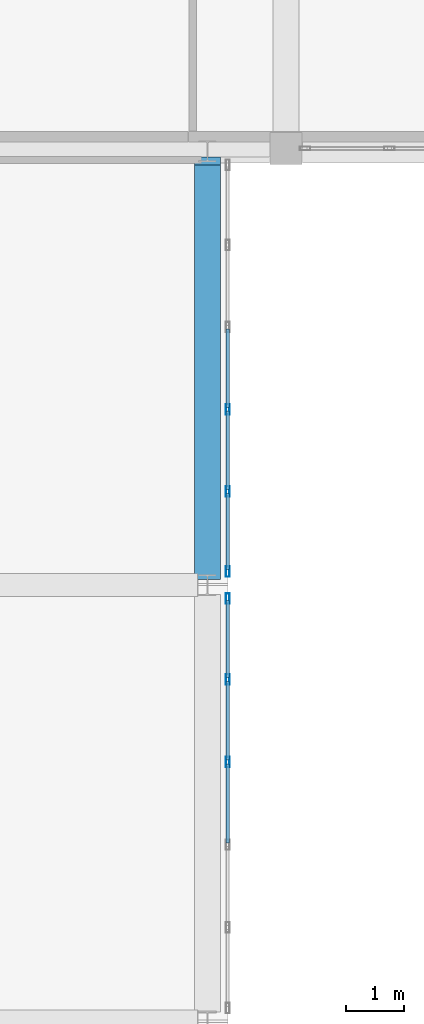
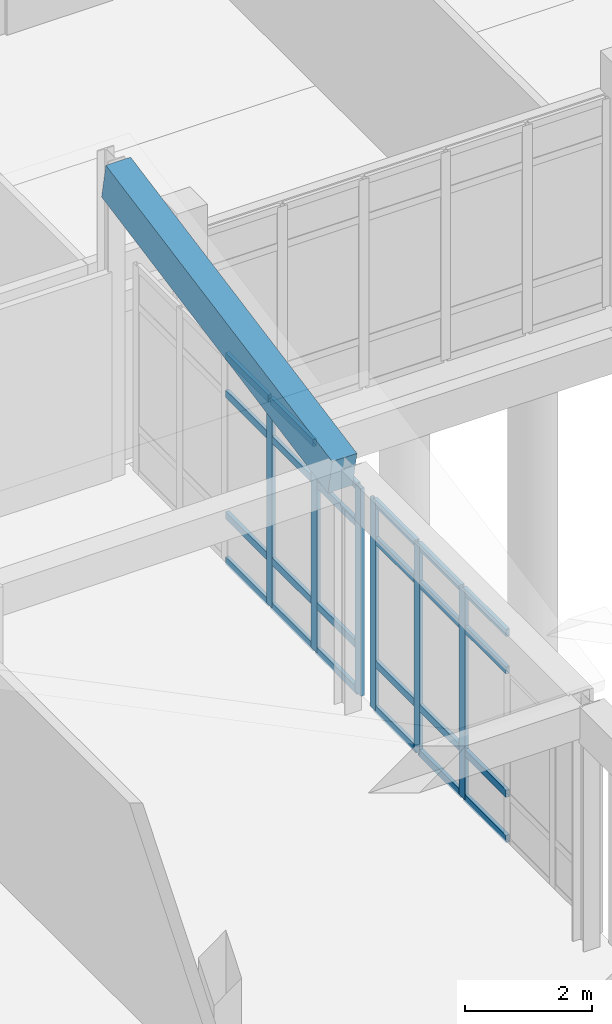
# One storey, part 108 of 173: 30 members, 1 beam, 2 elements without a shape of their own.
"""IFC4 building model written with IfcOpenShell, lengths in metres."""

import ifcopenshell
import ifcopenshell.guid

model = None  # the IFC model being written
_history = None  # IfcOwnerHistory: only IFC2X3 demands one
_inside = {}  # id of a spatial element -> (the spatial element, [elements in it])
_under = {}  # id of a project, library or spatial element -> (it, [spatial elements below it])
_declared = {}  # id of a project -> (the project, [libraries it declares])
_typed = {}  # id of a type object -> (the type object, [elements of that type])
_made_of = {}  # id of a material, layer set ... -> (it, [elements and type objects made of it])


def new_model(schema):
    """Start an empty IFC model of exactly this schema.

    Asked for "IFC4X3", IfcOpenShell would pick the latest addendum, in which some entities
    have other attributes; the version numbers below select the first issue.
    IFC2X3 requires an IfcOwnerHistory on every rooted entity: one is made here for all.
    """
    global model, _history
    if schema == "IFC4X3":
        model = ifcopenshell.file(schema_version=(4, 3, 0, 0))
    else:
        model = ifcopenshell.file(schema=schema)
    _inside.clear()
    _under.clear()
    _declared.clear()
    _typed.clear()
    _made_of.clear()
    _history = None
    if model.schema == "IFC2X3":
        org = make("IfcOrganization", Name="unknown")
        user = make(
            "IfcPersonAndOrganization",
            ThePerson=make("IfcPerson", FamilyName="unknown"),
            TheOrganization=org,
        )
        app = make(
            "IfcApplication",
            ApplicationDeveloper=org,
            Version="unknown",
            ApplicationFullName="unknown",
            ApplicationIdentifier="unknown",
        )
        _history = make(
            "IfcOwnerHistory",
            OwningUser=user,
            OwningApplication=app,
            ChangeAction="ADDED",
            CreationDate=0,
        )
    return model


def make(cls, **values):
    """One entity of the class cls with the attributes given. An attribute that is None is left unset."""
    return model.create_entity(
        cls, **{name: value for name, value in values.items() if value is not None}
    )


def rooted(cls, **values):
    """An entity with a GlobalId (a new one), such as an element, a storey or a relation."""
    return make(cls, GlobalId=ifcopenshell.guid.new(), OwnerHistory=_history, **values)


def si_unit(unit_type, name, prefix=None):
    """IfcSIUnit, for example si_unit("LENGTHUNIT", "METRE", prefix="MILLI")."""
    return make("IfcSIUnit", UnitType=unit_type, Prefix=prefix, Name=name)


def assignment(units):
    """IfcUnitAssignment: the units of a project."""
    return None if units is None else make("IfcUnitAssignment", Units=units)


def point(xyz):
    """IfcCartesianPoint."""
    return None if xyz is None else make("IfcCartesianPoint", Coordinates=xyz)


def direction(xyz):
    """IfcDirection."""
    return None if xyz is None else make("IfcDirection", DirectionRatios=xyz)


def frame(location, z_axis=None, x_axis=None):
    """IfcAxis2Placement3D, a coordinate frame: its origin and axes. An axis left out is left unset."""
    return make(
        "IfcAxis2Placement3D",
        Location=point(location),
        Axis=direction(z_axis),
        RefDirection=direction(x_axis),
    )


def frame_2d(location, x_axis=None):
    """IfcAxis2Placement2D, a coordinate frame in the plane: its origin and x axis."""
    return make(
        "IfcAxis2Placement2D", Location=point(location), RefDirection=direction(x_axis)
    )


def origin():
    """The frame at (0, 0, 0) with its axes left unset."""
    return frame((0.0, 0.0, 0.0))


def origin_2d():
    """The frame at (0, 0) in the plane with its x axis left unset."""
    return frame_2d((0.0, 0.0))


def place(relative_to, where):
    """IfcLocalPlacement: puts the frame where relative to a parent placement (None: the world)."""
    return make(
        "IfcLocalPlacement", PlacementRelTo=relative_to, RelativePlacement=where
    )


def context(
    kind, dimensions, precision=None, world=None, true_north=None, identifier=None
):
    """IfcGeometricRepresentationContext, for example the 3D "Model" context."""
    return make(
        "IfcGeometricRepresentationContext",
        ContextIdentifier=identifier,
        ContextType=kind,
        CoordinateSpaceDimension=dimensions,
        Precision=precision,
        WorldCoordinateSystem=world,
        TrueNorth=true_north,
    )


def subcontext(parent, identifier, kind, view, scale=None):
    """IfcGeometricRepresentationSubContext, for example "Body" below "Model"."""
    return make(
        "IfcGeometricRepresentationSubContext",
        ContextIdentifier=identifier,
        ContextType=kind,
        ParentContext=parent,
        TargetScale=scale,
        TargetView=view,
    )


def project(units=None, contexts=None):
    """IfcProject with its units and contexts."""
    return rooted(
        "IfcProject",
        Name="project",
        RepresentationContexts=contexts,
        UnitsInContext=assignment(units),
    )


def spatial(cls, under=None, at=None, **own):
    """A site, building, storey or space (cls), placed at a placement, below another one or the project."""
    s = rooted(cls, ObjectPlacement=at, **own)
    if under is not None:
        _under.setdefault(under.id(), (under, []))[1].append(s)
    return s


def profile(cls, at=None, kind="AREA", **sizes):
    """A parametric profile (cls). Its sizes go by their IFC names, for example OverallWidth=200.0."""
    return make(cls, ProfileType=kind, Position=at, **sizes)


def rectangle(**sizes):
    """IfcRectangleProfileDef."""
    return profile("IfcRectangleProfileDef", **sizes)


def hollow_rectangle(**sizes):
    """IfcRectangleHollowProfileDef."""
    return profile("IfcRectangleHollowProfileDef", **sizes)


def extrude(swept, where, along, depth):
    """IfcExtrudedAreaSolid: the profile swept, set in the frame where, extruded along a direction by depth."""
    return make(
        "IfcExtrudedAreaSolid",
        SweptArea=swept,
        Position=where,
        ExtrudedDirection=direction(along),
        Depth=depth,
    )


def shape(context_of_items, identifier, shape_type, items):
    """IfcShapeRepresentation: the items that make up one representation, for example the "Body"."""
    return make(
        "IfcShapeRepresentation",
        ContextOfItems=context_of_items,
        RepresentationIdentifier=identifier,
        RepresentationType=shape_type,
        Items=items,
    )


def material(Name=None, Category=None):
    """IfcMaterial."""
    return make("IfcMaterial", Name=Name, Category=Category)


def layer(
    of_material, thickness, ventilated=None, Name=None, Category=None, Priority=None
):
    """IfcMaterialLayer: one layer of a wall or slab, of a material (None: an air gap)."""
    return make(
        "IfcMaterialLayer",
        Material=of_material,
        LayerThickness=thickness,
        IsVentilated=ventilated,
        Name=Name,
        Category=Category,
        Priority=Priority,
    )


def layer_set(layers, Name=None):
    """IfcMaterialLayerSet."""
    return make("IfcMaterialLayerSet", MaterialLayers=layers, LayerSetName=Name)


def material_profile(
    of_material, cross_section, Name=None, Category=None, Priority=None
):
    """IfcMaterialProfile: a cross section and its material."""
    return make(
        "IfcMaterialProfile",
        Name=Name,
        Material=of_material,
        Profile=cross_section,
        Priority=Priority,
        Category=Category,
    )


def profile_set(profiles, Name=None, composite=None):
    """IfcMaterialProfileSet."""
    return make(
        "IfcMaterialProfileSet",
        Name=Name,
        MaterialProfiles=profiles,
        CompositeProfile=composite,
    )


def made_of(thing, what):
    """Note that an element or type object is made of a material, layer set ...; save() writes the relation."""
    if what is not None:
        _made_of.setdefault(what.id(), (what, []))[1].append(thing)
    return thing


def type_object(cls, material=None, **own):
    """A type object (cls), such as IfcWallType, which elements share."""
    return made_of(rooted(cls, **own), material)


def element(
    cls,
    number,
    at=None,
    inside=None,
    cuts=None,
    type_object=None,
    material=None,
    context=None,
    identifier="Body",
    shape_type=None,
    held_by="IfcProductDefinitionShape",
    body=None,
    shapes=None,
    **own,
):
    """One element of the class cls, such as IfcWall. Its Tag is "e" and its number.

    at: its placement. inside: the storey or other place that contains it. cuts: it is an
    opening in that element (IfcRelVoidsElement). A single representation is given by context,
    identifier, shape_type and body (its items); several are given by shapes. held_by: the class
    of the entity that holds the representations. save() writes the other relations.
    """
    e = rooted(cls, Tag="e%d" % number, ObjectPlacement=at, **own)
    if body is not None:
        shapes = [shape(context, identifier, shape_type, body)]
    if shapes is not None:
        e.Representation = make(held_by, Representations=shapes)
    if inside is not None:
        _inside.setdefault(inside.id(), (inside, []))[1].append(e)
    if cuts is not None:
        rooted(
            "IfcRelVoidsElement", RelatingBuildingElement=cuts, RelatedOpeningElement=e
        )
    if type_object is not None:
        _typed.setdefault(type_object.id(), (type_object, []))[1].append(e)
    return made_of(e, material)


def aggregate(whole, parts):
    """IfcRelAggregates: a whole, such as a stair, and the parts it consists of."""
    return rooted("IfcRelAggregates", RelatingObject=whole, RelatedObjects=parts)


def save(model, path):
    """Write the relations noted so far, then the file.

    IfcRelAggregates (storeys below a building ...), IfcRelContainedInSpatialStructure (elements
    in a storey), IfcRelDefinesByType, IfcRelAssociatesMaterial and IfcRelDeclares: one each for
    every whole, place, type object, material and project.
    """
    for whole, parts in _under.values():
        aggregate(whole, parts)
    for where, things in _inside.values():
        rooted(
            "IfcRelContainedInSpatialStructure",
            RelatedElements=things,
            RelatingStructure=where,
        )
    for kind, things in _typed.values():
        rooted("IfcRelDefinesByType", RelatedObjects=things, RelatingType=kind)
    for what, things in _made_of.values():
        rooted("IfcRelAssociatesMaterial", RelatedObjects=things, RelatingMaterial=what)
    for by, libraries in _declared.values():
        rooted("IfcRelDeclares", RelatingContext=by, RelatedDefinitions=libraries)
    model.write(path)


model = new_model("IFC4")

# Units and contexts
model_context = context("Model", 3, precision=1e-05, world=origin(), true_north=direction((0.0, 1.0)))
body_context = subcontext(model_context, "Body", "Model", "MODEL_VIEW")
ifc_project = project(units=[si_unit("LENGTHUNIT", "METRE"), si_unit("AREAUNIT", "SQUARE_METRE"), si_unit("VOLUMEUNIT", "CUBIC_METRE"), si_unit("PLANEANGLEUNIT", "RADIAN"), si_unit("MASSUNIT", "GRAM", prefix="KILO")], contexts=[model_context])

# Site, building, storey
site_placement = place(None, origin())
site = spatial("IfcSite", under=ifc_project, at=site_placement, CompositionType="ELEMENT")
building_placement = place(site_placement, origin())
building = spatial("IfcBuilding", under=site, at=building_placement, Name="Mawjan Specialist Oncology Clinic", CompositionType="ELEMENT")
storey_placement = place(building_placement, origin())
storey = spatial("IfcBuildingStorey", under=building, at=storey_placement, Name="L00", CompositionType="ELEMENT", Elevation=0.0)

# Beam
ifc_material_1 = material(Name="Concrete C40/50", Category="concrete")
ifc_material_profile_1 = material_profile(ifc_material_1, rectangle(XDim=0.449951171875, YDim=0.699951171875, at=origin_2d()), Name="RC BM 450x700", Category="concrete")
ifc_profile_set_1 = profile_set([ifc_material_profile_1], Name="Concrete C40/50")
beam_type = type_object("IfcBeamType", Name="BM-450x700", PredefinedType="BEAM", material=ifc_profile_set_1)
beam_placement = place(storey_placement, frame((138.64990234375, 68.465087890625, 4.3828125), z_axis=(0.0, 0.982020614952, 0.188773705292), x_axis=(-1.0, 0.0, 0.0)))
element("IfcBeam", 1, at=beam_placement, inside=storey, type_object=beam_type, Name="L00 Roof Framing Beam BM-RF-L00-1278", PredefinedType="BEAM", context=body_context, shape_type="SweptSolid", body=[
    extrude(rectangle(XDim=0.449951171875, YDim=0.699951171875, at=origin_2d()), origin(), (0.0, 0.0, 1.0), 7.250244140625),
])

# Curtain wall, members
ifc_material_2 = material(Name="Unitised spectrally selective aluminium curtain wall", Category="aluminium")
ifc_layer_1 = layer(ifc_material_2, 0.179931640625, Name="Unitised spectrally selective aluminium curtain wall", Category="aluminium")
ifc_layer_set_1 = layer_set([ifc_layer_1], Name="Unitised spectrally selective aluminium curtain wall")
curtain_wall_type_1 = type_object("IfcCurtainWallType", Name="CW-18", PredefinedType="NOTDEFINED", material=ifc_layer_set_1)
curtain_wall_1_placement = place(storey_placement, origin())
curtain_wall_1 = element("IfcCurtainWall", 2, at=curtain_wall_1_placement, inside=storey, type_object=curtain_wall_type_1, Name="L00 Unitised Curtain Wall CW-L00-032", PredefinedType="NOTDEFINED")
ifc_material_3 = material(Name="Thermally broken aluminium 6063-T6", Category="aluminium")
ifc_material_profile_2 = material_profile(ifc_material_3, hollow_rectangle(XDim=0.06494140625, YDim=0.179931640625, WallThickness=0.00390625, at=origin_2d()), Name="ALU MULLION 180x65x4", Category="aluminium")
ifc_profile_set_2 = profile_set([ifc_material_profile_2], Name="Thermally broken aluminium 6063-T6")
member_type_1 = type_object("IfcMemberType", Name="CW-M180", PredefinedType="MULLION", material=ifc_profile_set_2)
member_1_placement = place(storey_placement, frame((139.0, 71.320068359375, 0.0), z_axis=(0.0, 0.0, 1.0), x_axis=(1.0, 0.0, 0.0)))
member_1 = element("IfcMember", 3, at=member_1_placement, type_object=member_type_1, Name="CW-18 mullion 4", PredefinedType="MULLION", context=body_context, shape_type="SweptSolid", body=[
    extrude(hollow_rectangle(XDim=0.06494140625, YDim=0.179931640625, WallThickness=0.00390625, at=origin_2d()), origin(), (0.0, 0.0, 1.0), 3.985107421875),
])
member_2_placement = place(storey_placement, frame((139.0, 69.909912109375, 0.0), z_axis=(0.0, 0.0, 1.0), x_axis=(1.0, 0.0, 0.0)))
member_2 = element("IfcMember", 4, at=member_2_placement, type_object=member_type_1, Name="CW-18 mullion 5", PredefinedType="MULLION", context=body_context, shape_type="SweptSolid", body=[
    extrude(hollow_rectangle(XDim=0.06494140625, YDim=0.179931640625, WallThickness=0.00390625, at=origin_2d()), origin(), (0.0, 0.0, 1.0), 3.985107421875),
])
member_3_placement = place(storey_placement, frame((139.0, 68.532470703125, 0.0), z_axis=(0.0, 0.0, 1.0), x_axis=(1.0, 0.0, 0.0)))
member_3 = element("IfcMember", 5, at=member_3_placement, type_object=member_type_1, Name="CW-18 mullion 6", PredefinedType="MULLION", context=body_context, shape_type="SweptSolid", body=[
    extrude(hollow_rectangle(XDim=0.06494140625, YDim=0.179931640625, WallThickness=0.00390625, at=origin_2d()), origin(), (0.0, 0.0, 1.0), 3.985107421875),
])

ifc_material_4 = material(Name="Unitised spectrally selective aluminium curtain wall", Category="aluminium")
ifc_layer_2 = layer(ifc_material_4, 0.179931640625, Name="Unitised spectrally selective aluminium curtain wall", Category="aluminium")
ifc_layer_set_2 = layer_set([ifc_layer_2], Name="Unitised spectrally selective aluminium curtain wall")
curtain_wall_type_2 = type_object("IfcCurtainWallType", Name="CW-19", PredefinedType="NOTDEFINED", material=ifc_layer_set_2)
curtain_wall_2_placement = place(storey_placement, origin())
curtain_wall_2 = element("IfcCurtainWall", 6, at=curtain_wall_2_placement, inside=storey, type_object=curtain_wall_type_2, Name="L00 Unitised Curtain Wall CW-L00-033", PredefinedType="NOTDEFINED")
member_4_placement = place(storey_placement, frame((139.0, 68.0673828125, 0.0), z_axis=(0.0, 0.0, 1.0), x_axis=(1.0, 0.0, 0.0)))
member_4 = element("IfcMember", 7, at=member_4_placement, type_object=member_type_1, Name="CW-19 mullion 1", PredefinedType="MULLION", context=body_context, shape_type="SweptSolid", body=[
    extrude(hollow_rectangle(XDim=0.06494140625, YDim=0.179931640625, WallThickness=0.00390625, at=origin_2d()), origin(), (0.0, 0.0, 1.0), 4.017822265625),
])
member_5_placement = place(storey_placement, frame((139.0, 66.679931640625, 0.0), z_axis=(0.0, 0.0, 1.0), x_axis=(1.0, 0.0, 0.0)))
member_5 = element("IfcMember", 8, at=member_5_placement, type_object=member_type_1, Name="CW-19 mullion 2", PredefinedType="MULLION", context=body_context, shape_type="SweptSolid", body=[
    extrude(hollow_rectangle(XDim=0.06494140625, YDim=0.179931640625, WallThickness=0.00390625, at=origin_2d()), origin(), (0.0, 0.0, 1.0), 4.017822265625),
])
member_6_placement = place(storey_placement, frame((139.0, 65.260009765625, 0.0), z_axis=(0.0, 0.0, 1.0), x_axis=(1.0, 0.0, 0.0)))
member_6 = element("IfcMember", 9, at=member_6_placement, type_object=member_type_1, Name="CW-19 mullion 3", PredefinedType="MULLION", context=body_context, shape_type="SweptSolid", body=[
    extrude(hollow_rectangle(XDim=0.06494140625, YDim=0.179931640625, WallThickness=0.00390625, at=origin_2d()), origin(), (0.0, 0.0, 1.0), 4.017822265625),
])

# Member
ifc_material_5 = material(Name="Thermally broken aluminium 6063-T6", Category="aluminium")
ifc_material_profile_3 = material_profile(ifc_material_5, hollow_rectangle(XDim=0.06494140625, YDim=0.139892578125, WallThickness=0.00390625, at=origin_2d()), Name="ALU TRANSOM 140x65x4", Category="aluminium")
ifc_profile_set_3 = profile_set([ifc_material_profile_3], Name="Thermally broken aluminium 6063-T6")
member_type_2 = type_object("IfcMemberType", Name="CW-T140", PredefinedType="USERDEFINED", material=ifc_profile_set_3)
member_7_placement = place(storey_placement, frame((139.0, 72.697509765625, 0.032470703125), z_axis=(0.0, -1.0, 0.0), x_axis=(1.0, 0.0, 0.0)))
member_7 = element("IfcMember", 10, at=member_7_placement, type_object=member_type_2, Name="CW-18 transom 3.1", ObjectType="TRANSOM", PredefinedType="USERDEFINED", context=body_context, shape_type="SweptSolid", body=[
    extrude(hollow_rectangle(XDim=0.06494140625, YDim=0.139892578125, WallThickness=0.00390625, at=origin_2d()), origin(), (0.0, 0.0, 1.0), 1.344970703125),
])

member_8_placement = place(storey_placement, frame((139.0, 72.697509765625, 0.89990234375), z_axis=(0.0, -1.0, 0.0), x_axis=(1.0, 0.0, 0.0)))
member_8 = element("IfcMember", 11, at=member_8_placement, type_object=member_type_2, Name="CW-18 transom 3.2", ObjectType="TRANSOM", PredefinedType="USERDEFINED", context=body_context, shape_type="SweptSolid", body=[
    extrude(hollow_rectangle(XDim=0.06494140625, YDim=0.139892578125, WallThickness=0.00390625, at=origin_2d()), origin(), (0.0, 0.0, 1.0), 1.344970703125),
])

member_9_placement = place(storey_placement, frame((139.0, 72.697509765625, 3.235107421875), z_axis=(0.0, -1.0, 0.0), x_axis=(1.0, 0.0, 0.0)))
member_9 = element("IfcMember", 12, at=member_9_placement, type_object=member_type_2, Name="CW-18 transom 3.3", ObjectType="TRANSOM", PredefinedType="USERDEFINED", context=body_context, shape_type="SweptSolid", body=[
    extrude(hollow_rectangle(XDim=0.06494140625, YDim=0.139892578125, WallThickness=0.00390625, at=origin_2d()), origin(), (0.0, 0.0, 1.0), 1.344970703125),
])

member_10_placement = place(storey_placement, frame((139.0, 72.697509765625, 3.952392578125), z_axis=(0.0, -1.0, 0.0), x_axis=(1.0, 0.0, 0.0)))
member_10 = element("IfcMember", 13, at=member_10_placement, type_object=member_type_2, Name="CW-18 transom 3.4", ObjectType="TRANSOM", PredefinedType="USERDEFINED", context=body_context, shape_type="SweptSolid", body=[
    extrude(hollow_rectangle(XDim=0.06494140625, YDim=0.139892578125, WallThickness=0.00390625, at=origin_2d()), origin(), (0.0, 0.0, 1.0), 1.344970703125),
])

member_11_placement = place(storey_placement, frame((139.0, 71.28759765625, 0.032470703125), z_axis=(0.0, -1.0, 0.0), x_axis=(1.0, 0.0, 0.0)))
member_11 = element("IfcMember", 14, at=member_11_placement, type_object=member_type_2, Name="CW-18 transom 4.1", ObjectType="TRANSOM", PredefinedType="USERDEFINED", context=body_context, shape_type="SweptSolid", body=[
    extrude(hollow_rectangle(XDim=0.06494140625, YDim=0.139892578125, WallThickness=0.00390625, at=origin_2d()), origin(), (0.0, 0.0, 1.0), 1.34521484375),
])

member_12_placement = place(storey_placement, frame((139.0, 71.28759765625, 0.89990234375), z_axis=(0.0, -1.0, 0.0), x_axis=(1.0, 0.0, 0.0)))
member_12 = element("IfcMember", 15, at=member_12_placement, type_object=member_type_2, Name="CW-18 transom 4.2", ObjectType="TRANSOM", PredefinedType="USERDEFINED", context=body_context, shape_type="SweptSolid", body=[
    extrude(hollow_rectangle(XDim=0.06494140625, YDim=0.139892578125, WallThickness=0.00390625, at=origin_2d()), origin(), (0.0, 0.0, 1.0), 1.34521484375),
])

member_13_placement = place(storey_placement, frame((139.0, 71.28759765625, 3.235107421875), z_axis=(0.0, -1.0, 0.0), x_axis=(1.0, 0.0, 0.0)))
member_13 = element("IfcMember", 16, at=member_13_placement, type_object=member_type_2, Name="CW-18 transom 4.3", ObjectType="TRANSOM", PredefinedType="USERDEFINED", context=body_context, shape_type="SweptSolid", body=[
    extrude(hollow_rectangle(XDim=0.06494140625, YDim=0.139892578125, WallThickness=0.00390625, at=origin_2d()), origin(), (0.0, 0.0, 1.0), 1.34521484375),
])

member_14_placement = place(storey_placement, frame((139.0, 71.28759765625, 3.952392578125), z_axis=(0.0, -1.0, 0.0), x_axis=(1.0, 0.0, 0.0)))
member_14 = element("IfcMember", 17, at=member_14_placement, type_object=member_type_2, Name="CW-18 transom 4.4", ObjectType="TRANSOM", PredefinedType="USERDEFINED", context=body_context, shape_type="SweptSolid", body=[
    extrude(hollow_rectangle(XDim=0.06494140625, YDim=0.139892578125, WallThickness=0.00390625, at=origin_2d()), origin(), (0.0, 0.0, 1.0), 1.34521484375),
])

member_15_placement = place(storey_placement, frame((139.0, 69.87744140625, 0.032470703125), z_axis=(0.0, -1.0, 0.0), x_axis=(1.0, 0.0, 0.0)))
member_15 = element("IfcMember", 18, at=member_15_placement, type_object=member_type_2, Name="CW-18 transom 5.1", ObjectType="TRANSOM", PredefinedType="USERDEFINED", context=body_context, shape_type="SweptSolid", body=[
    extrude(hollow_rectangle(XDim=0.06494140625, YDim=0.139892578125, WallThickness=0.00390625, at=origin_2d()), origin(), (0.0, 0.0, 1.0), 1.3125),
])

member_16_placement = place(storey_placement, frame((139.0, 69.87744140625, 0.89990234375), z_axis=(0.0, -1.0, 0.0), x_axis=(1.0, 0.0, 0.0)))
member_16 = element("IfcMember", 19, at=member_16_placement, type_object=member_type_2, Name="CW-18 transom 5.2", ObjectType="TRANSOM", PredefinedType="USERDEFINED", context=body_context, shape_type="SweptSolid", body=[
    extrude(hollow_rectangle(XDim=0.06494140625, YDim=0.139892578125, WallThickness=0.00390625, at=origin_2d()), origin(), (0.0, 0.0, 1.0), 1.3125),
])

member_17_placement = place(storey_placement, frame((139.0, 69.87744140625, 3.235107421875), z_axis=(0.0, -1.0, 0.0), x_axis=(1.0, 0.0, 0.0)))
member_17 = element("IfcMember", 20, at=member_17_placement, type_object=member_type_2, Name="CW-18 transom 5.3", ObjectType="TRANSOM", PredefinedType="USERDEFINED", context=body_context, shape_type="SweptSolid", body=[
    extrude(hollow_rectangle(XDim=0.06494140625, YDim=0.139892578125, WallThickness=0.00390625, at=origin_2d()), origin(), (0.0, 0.0, 1.0), 1.3125),
])

member_18_placement = place(storey_placement, frame((139.0, 69.87744140625, 3.952392578125), z_axis=(0.0, -1.0, 0.0), x_axis=(1.0, 0.0, 0.0)))
member_18 = element("IfcMember", 21, at=member_18_placement, type_object=member_type_2, Name="CW-18 transom 5.4", ObjectType="TRANSOM", PredefinedType="USERDEFINED", context=body_context, shape_type="SweptSolid", body=[
    extrude(hollow_rectangle(XDim=0.06494140625, YDim=0.139892578125, WallThickness=0.00390625, at=origin_2d()), origin(), (0.0, 0.0, 1.0), 1.3125),
])

aggregate(curtain_wall_1, [member_1, member_2, member_3, member_7, member_8, member_9, member_10, member_11, member_12, member_13, member_14, member_15, member_16, member_17, member_18])

member_19_placement = place(storey_placement, frame((139.0, 68.034912109375, 0.032470703125), z_axis=(0.0, -1.0, 0.0), x_axis=(1.0, 0.0, 0.0)))
member_19 = element("IfcMember", 22, at=member_19_placement, type_object=member_type_2, Name="CW-19 transom 1.1", ObjectType="TRANSOM", PredefinedType="USERDEFINED", context=body_context, shape_type="SweptSolid", body=[
    extrude(hollow_rectangle(XDim=0.06494140625, YDim=0.139892578125, WallThickness=0.00390625, at=origin_2d()), origin(), (0.0, 0.0, 1.0), 1.322509765625),
])

member_20_placement = place(storey_placement, frame((139.0, 68.034912109375, 0.89990234375), z_axis=(0.0, -1.0, 0.0), x_axis=(1.0, 0.0, 0.0)))
member_20 = element("IfcMember", 23, at=member_20_placement, type_object=member_type_2, Name="CW-19 transom 1.2", ObjectType="TRANSOM", PredefinedType="USERDEFINED", context=body_context, shape_type="SweptSolid", body=[
    extrude(hollow_rectangle(XDim=0.06494140625, YDim=0.139892578125, WallThickness=0.00390625, at=origin_2d()), origin(), (0.0, 0.0, 1.0), 1.322509765625),
])

member_21_placement = place(storey_placement, frame((139.0, 68.034912109375, 3.267822265625), z_axis=(0.0, -1.0, 0.0), x_axis=(1.0, 0.0, 0.0)))
member_21 = element("IfcMember", 24, at=member_21_placement, type_object=member_type_2, Name="CW-19 transom 1.3", ObjectType="TRANSOM", PredefinedType="USERDEFINED", context=body_context, shape_type="SweptSolid", body=[
    extrude(hollow_rectangle(XDim=0.06494140625, YDim=0.139892578125, WallThickness=0.00390625, at=origin_2d()), origin(), (0.0, 0.0, 1.0), 1.322509765625),
])

member_22_placement = place(storey_placement, frame((139.0, 68.034912109375, 3.9853515625), z_axis=(0.0, -1.0, 0.0), x_axis=(1.0, 0.0, 0.0)))
member_22 = element("IfcMember", 25, at=member_22_placement, type_object=member_type_2, Name="CW-19 transom 1.4", ObjectType="TRANSOM", PredefinedType="USERDEFINED", context=body_context, shape_type="SweptSolid", body=[
    extrude(hollow_rectangle(XDim=0.06494140625, YDim=0.139892578125, WallThickness=0.00390625, at=origin_2d()), origin(), (0.0, 0.0, 1.0), 1.322509765625),
])

member_23_placement = place(storey_placement, frame((139.0, 66.6474609375, 0.032470703125), z_axis=(0.0, -1.0, 0.0), x_axis=(1.0, 0.0, 0.0)))
member_23 = element("IfcMember", 26, at=member_23_placement, type_object=member_type_2, Name="CW-19 transom 2.1", ObjectType="TRANSOM", PredefinedType="USERDEFINED", context=body_context, shape_type="SweptSolid", body=[
    extrude(hollow_rectangle(XDim=0.06494140625, YDim=0.139892578125, WallThickness=0.00390625, at=origin_2d()), origin(), (0.0, 0.0, 1.0), 1.35498046875),
])

member_24_placement = place(storey_placement, frame((139.0, 66.6474609375, 0.89990234375), z_axis=(0.0, -1.0, 0.0), x_axis=(1.0, 0.0, 0.0)))
member_24 = element("IfcMember", 27, at=member_24_placement, type_object=member_type_2, Name="CW-19 transom 2.2", ObjectType="TRANSOM", PredefinedType="USERDEFINED", context=body_context, shape_type="SweptSolid", body=[
    extrude(hollow_rectangle(XDim=0.06494140625, YDim=0.139892578125, WallThickness=0.00390625, at=origin_2d()), origin(), (0.0, 0.0, 1.0), 1.35498046875),
])

member_25_placement = place(storey_placement, frame((139.0, 66.6474609375, 3.267822265625), z_axis=(0.0, -1.0, 0.0), x_axis=(1.0, 0.0, 0.0)))
member_25 = element("IfcMember", 28, at=member_25_placement, type_object=member_type_2, Name="CW-19 transom 2.3", ObjectType="TRANSOM", PredefinedType="USERDEFINED", context=body_context, shape_type="SweptSolid", body=[
    extrude(hollow_rectangle(XDim=0.06494140625, YDim=0.139892578125, WallThickness=0.00390625, at=origin_2d()), origin(), (0.0, 0.0, 1.0), 1.35498046875),
])

member_26_placement = place(storey_placement, frame((139.0, 66.6474609375, 3.9853515625), z_axis=(0.0, -1.0, 0.0), x_axis=(1.0, 0.0, 0.0)))
member_26 = element("IfcMember", 29, at=member_26_placement, type_object=member_type_2, Name="CW-19 transom 2.4", ObjectType="TRANSOM", PredefinedType="USERDEFINED", context=body_context, shape_type="SweptSolid", body=[
    extrude(hollow_rectangle(XDim=0.06494140625, YDim=0.139892578125, WallThickness=0.00390625, at=origin_2d()), origin(), (0.0, 0.0, 1.0), 1.35498046875),
])

member_27_placement = place(storey_placement, frame((139.0, 65.2275390625, 0.032470703125), z_axis=(0.0, -1.0, 0.0), x_axis=(1.0, 0.0, 0.0)))
member_27 = element("IfcMember", 30, at=member_27_placement, type_object=member_type_2, Name="CW-19 transom 3.1", ObjectType="TRANSOM", PredefinedType="USERDEFINED", context=body_context, shape_type="SweptSolid", body=[
    extrude(hollow_rectangle(XDim=0.06494140625, YDim=0.139892578125, WallThickness=0.00390625, at=origin_2d()), origin(), (0.0, 0.0, 1.0), 1.35498046875),
])

member_28_placement = place(storey_placement, frame((139.0, 65.2275390625, 0.89990234375), z_axis=(0.0, -1.0, 0.0), x_axis=(1.0, 0.0, 0.0)))
member_28 = element("IfcMember", 31, at=member_28_placement, type_object=member_type_2, Name="CW-19 transom 3.2", ObjectType="TRANSOM", PredefinedType="USERDEFINED", context=body_context, shape_type="SweptSolid", body=[
    extrude(hollow_rectangle(XDim=0.06494140625, YDim=0.139892578125, WallThickness=0.00390625, at=origin_2d()), origin(), (0.0, 0.0, 1.0), 1.35498046875),
])

member_29_placement = place(storey_placement, frame((139.0, 65.2275390625, 3.267822265625), z_axis=(0.0, -1.0, 0.0), x_axis=(1.0, 0.0, 0.0)))
member_29 = element("IfcMember", 32, at=member_29_placement, type_object=member_type_2, Name="CW-19 transom 3.3", ObjectType="TRANSOM", PredefinedType="USERDEFINED", context=body_context, shape_type="SweptSolid", body=[
    extrude(hollow_rectangle(XDim=0.06494140625, YDim=0.139892578125, WallThickness=0.00390625, at=origin_2d()), origin(), (0.0, 0.0, 1.0), 1.35498046875),
])

member_30_placement = place(storey_placement, frame((139.0, 65.2275390625, 3.9853515625), z_axis=(0.0, -1.0, 0.0), x_axis=(1.0, 0.0, 0.0)))
member_30 = element("IfcMember", 33, at=member_30_placement, type_object=member_type_2, Name="CW-19 transom 3.4", ObjectType="TRANSOM", PredefinedType="USERDEFINED", context=body_context, shape_type="SweptSolid", body=[
    extrude(hollow_rectangle(XDim=0.06494140625, YDim=0.139892578125, WallThickness=0.00390625, at=origin_2d()), origin(), (0.0, 0.0, 1.0), 1.35498046875),
])

aggregate(curtain_wall_2, [member_4, member_5, member_6, member_19, member_20, member_21, member_22, member_23, member_24, member_25, member_26, member_27, member_28, member_29, member_30])

save(model, "model.ifc")
